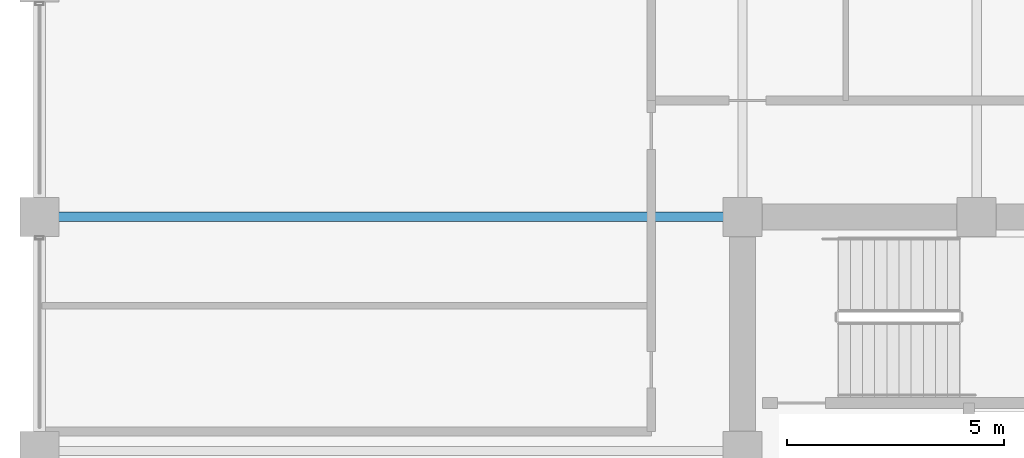
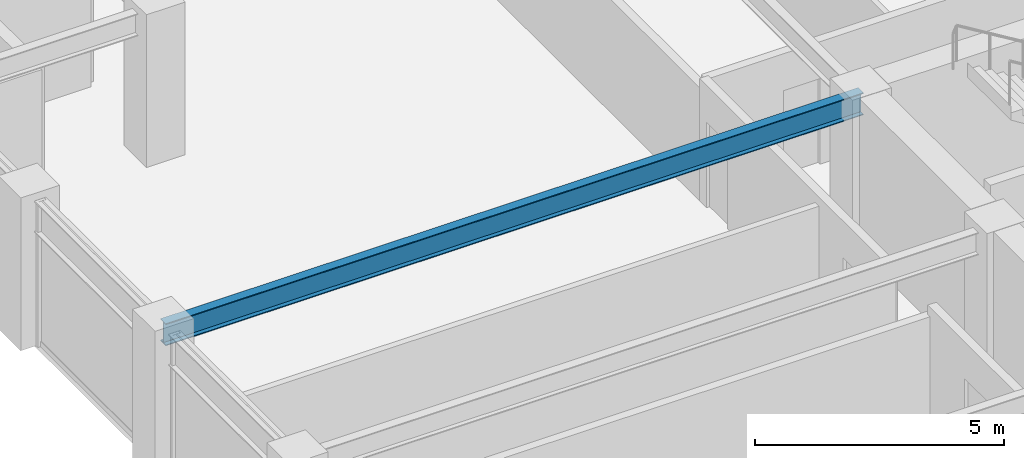
# One storey, part 17 of 32: 1 beam.
"""IFC4 building model written with IfcOpenShell, lengths in metres."""

from ifc_helpers import new_model, si_unit, direction, frame, origin, origin_2d, place, context, subcontext, project, spatial, i_section, extrude, material, material_profile, profile_set, type_object, element, save


model = new_model("IFC4")

# Units and contexts
model_context = context("Model", 3, precision=1e-05, world=origin(), true_north=direction((0.0, 1.0)))
body_context = subcontext(model_context, "Body", "Model", "MODEL_VIEW")
ifc_project = project(units=[si_unit("LENGTHUNIT", "METRE"), si_unit("AREAUNIT", "SQUARE_METRE"), si_unit("VOLUMEUNIT", "CUBIC_METRE"), si_unit("PLANEANGLEUNIT", "RADIAN"), si_unit("MASSUNIT", "GRAM", prefix="KILO")], contexts=[model_context])

# Site, building, storey
site_placement = place(None, origin())
site = spatial("IfcSite", under=ifc_project, at=site_placement, CompositionType="ELEMENT")
building_placement = place(site_placement, origin())
building = spatial("IfcBuilding", under=site, at=building_placement, Name="Surkhivell Harbour Commons", CompositionType="ELEMENT")
storey_placement = place(building_placement, frame((0.0, 0.0, 201.0)))
storey = spatial("IfcBuildingStorey", under=building, at=storey_placement, Name="L52", CompositionType="ELEMENT", Elevation=201.0)

# Beam
ifc_material = material(Name="Steel S355", Category="steel")
ifc_material_profile = material_profile(ifc_material, i_section(OverallWidth=0.2119140625, OverallDepth=0.5439453125, WebThickness=0.0126953125, FlangeThickness=0.021240234375, at=origin_2d()), Name="UB533x210x122")
ifc_profile_set = profile_set([ifc_material_profile], Name="Steel S355")
beam_type = type_object("IfcBeamType", Name="BM-GRD-533A", PredefinedType="BEAM", material=ifc_profile_set)
beam_placement = place(storey_placement, frame((-27.0, 10.800048828125, 3.298095703125), z_axis=(1.0, 0.0, 0.0), x_axis=(0.0, 1.0, 0.0)))
element("IfcBeam", 1, at=beam_placement, inside=storey, type_object=beam_type, Name="L52 Floor Girder (-27.0,10.8)", PredefinedType="BEAM", context=body_context, shape_type="SweptSolid", body=[
    extrude(i_section(OverallWidth=0.2119140625, OverallDepth=0.5439453125, WebThickness=0.0126953125, FlangeThickness=0.021240234375, at=origin_2d()), origin(), (0.0, 0.0, 1.0), 16.199951171875),
])

save(model, "model.ifc")
